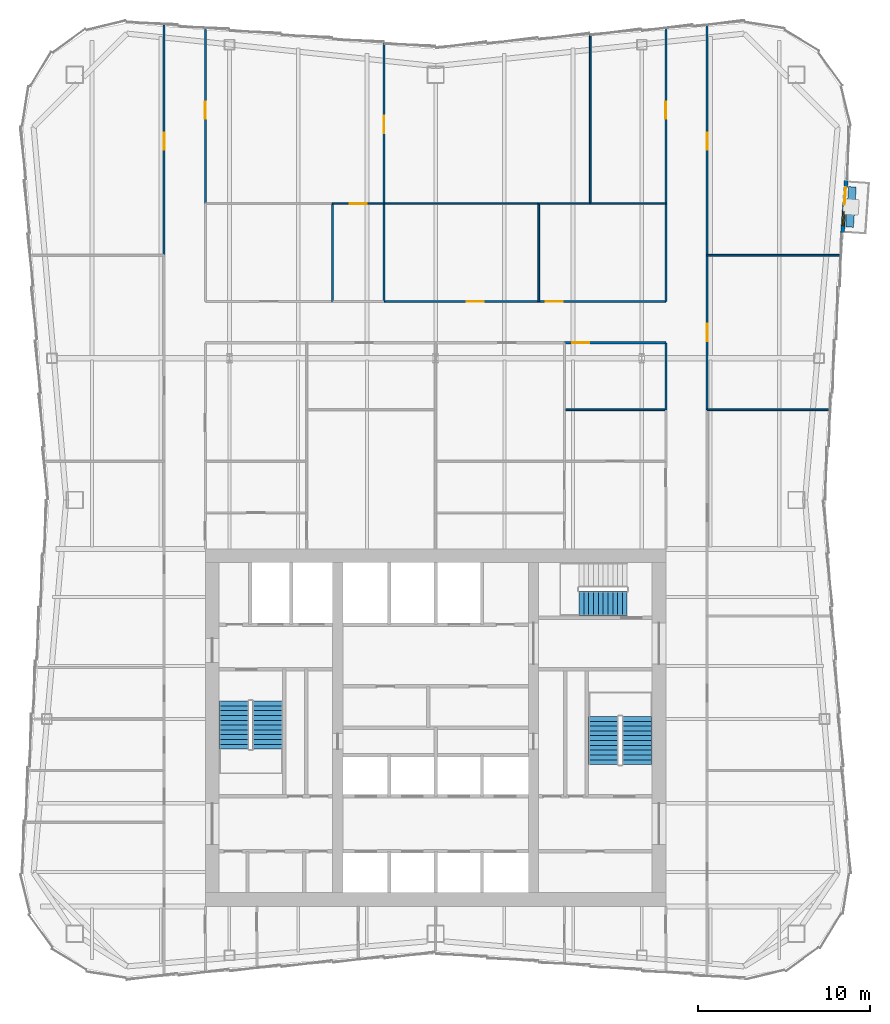
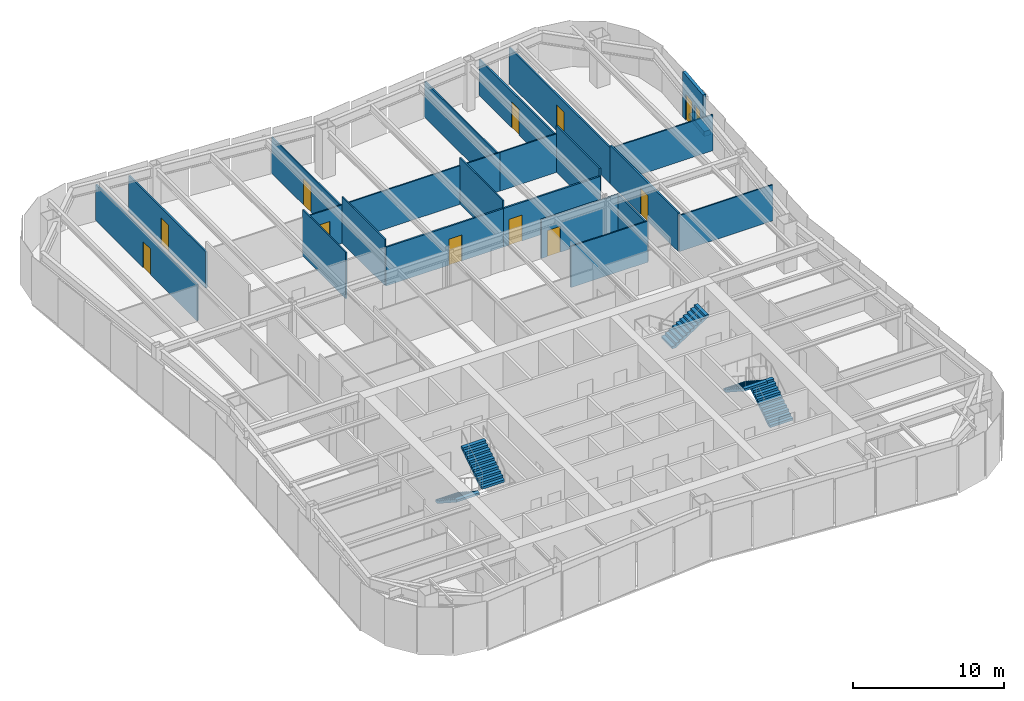
# One storey, part 9 of 12: 24 walls, 11 doors, 5 stair flights, 1 window, 12 openings, 3 elements without a shape of their own.
"""IFC4 building model written with IfcOpenShell, lengths in metres."""

import ifcopenshell
import ifcopenshell.guid

model = None  # the IFC model being written
_history = None  # IfcOwnerHistory: only IFC2X3 demands one
_inside = {}  # id of a spatial element -> (the spatial element, [elements in it])
_under = {}  # id of a project, library or spatial element -> (it, [spatial elements below it])
_declared = {}  # id of a project -> (the project, [libraries it declares])
_typed = {}  # id of a type object -> (the type object, [elements of that type])
_made_of = {}  # id of a material, layer set ... -> (it, [elements and type objects made of it])


def new_model(schema):
    """Start an empty IFC model of exactly this schema.

    Asked for "IFC4X3", IfcOpenShell would pick the latest addendum, in which some entities
    have other attributes; the version numbers below select the first issue.
    IFC2X3 requires an IfcOwnerHistory on every rooted entity: one is made here for all.
    """
    global model, _history
    if schema == "IFC4X3":
        model = ifcopenshell.file(schema_version=(4, 3, 0, 0))
    else:
        model = ifcopenshell.file(schema=schema)
    _inside.clear()
    _under.clear()
    _declared.clear()
    _typed.clear()
    _made_of.clear()
    _history = None
    if model.schema == "IFC2X3":
        org = make("IfcOrganization", Name="unknown")
        user = make(
            "IfcPersonAndOrganization",
            ThePerson=make("IfcPerson", FamilyName="unknown"),
            TheOrganization=org,
        )
        app = make(
            "IfcApplication",
            ApplicationDeveloper=org,
            Version="unknown",
            ApplicationFullName="unknown",
            ApplicationIdentifier="unknown",
        )
        _history = make(
            "IfcOwnerHistory",
            OwningUser=user,
            OwningApplication=app,
            ChangeAction="ADDED",
            CreationDate=0,
        )
    return model


def make(cls, **values):
    """One entity of the class cls with the attributes given. An attribute that is None is left unset."""
    return model.create_entity(
        cls, **{name: value for name, value in values.items() if value is not None}
    )


def rooted(cls, **values):
    """An entity with a GlobalId (a new one), such as an element, a storey or a relation."""
    return make(cls, GlobalId=ifcopenshell.guid.new(), OwnerHistory=_history, **values)


def si_unit(unit_type, name, prefix=None):
    """IfcSIUnit, for example si_unit("LENGTHUNIT", "METRE", prefix="MILLI")."""
    return make("IfcSIUnit", UnitType=unit_type, Prefix=prefix, Name=name)


def assignment(units):
    """IfcUnitAssignment: the units of a project."""
    return None if units is None else make("IfcUnitAssignment", Units=units)


def point(xyz):
    """IfcCartesianPoint."""
    return None if xyz is None else make("IfcCartesianPoint", Coordinates=xyz)


def direction(xyz):
    """IfcDirection."""
    return None if xyz is None else make("IfcDirection", DirectionRatios=xyz)


def frame(location, z_axis=None, x_axis=None):
    """IfcAxis2Placement3D, a coordinate frame: its origin and axes. An axis left out is left unset."""
    return make(
        "IfcAxis2Placement3D",
        Location=point(location),
        Axis=direction(z_axis),
        RefDirection=direction(x_axis),
    )


def frame_2d(location, x_axis=None):
    """IfcAxis2Placement2D, a coordinate frame in the plane: its origin and x axis."""
    return make(
        "IfcAxis2Placement2D", Location=point(location), RefDirection=direction(x_axis)
    )


def origin():
    """The frame at (0, 0, 0) with its axes left unset."""
    return frame((0.0, 0.0, 0.0))


def place(relative_to, where):
    """IfcLocalPlacement: puts the frame where relative to a parent placement (None: the world)."""
    return make(
        "IfcLocalPlacement", PlacementRelTo=relative_to, RelativePlacement=where
    )


def context(
    kind, dimensions, precision=None, world=None, true_north=None, identifier=None
):
    """IfcGeometricRepresentationContext, for example the 3D "Model" context."""
    return make(
        "IfcGeometricRepresentationContext",
        ContextIdentifier=identifier,
        ContextType=kind,
        CoordinateSpaceDimension=dimensions,
        Precision=precision,
        WorldCoordinateSystem=world,
        TrueNorth=true_north,
    )


def subcontext(parent, identifier, kind, view, scale=None):
    """IfcGeometricRepresentationSubContext, for example "Body" below "Model"."""
    return make(
        "IfcGeometricRepresentationSubContext",
        ContextIdentifier=identifier,
        ContextType=kind,
        ParentContext=parent,
        TargetScale=scale,
        TargetView=view,
    )


def project(units=None, contexts=None):
    """IfcProject with its units and contexts."""
    return rooted(
        "IfcProject",
        Name="project",
        RepresentationContexts=contexts,
        UnitsInContext=assignment(units),
    )


def spatial(cls, under=None, at=None, **own):
    """A site, building, storey or space (cls), placed at a placement, below another one or the project."""
    s = rooted(cls, ObjectPlacement=at, **own)
    if under is not None:
        _under.setdefault(under.id(), (under, []))[1].append(s)
    return s


def polyline(points):
    """IfcPolyline through the points."""
    return make("IfcPolyline", Points=[point(p) for p in points])


def profile(cls, at=None, kind="AREA", **sizes):
    """A parametric profile (cls). Its sizes go by their IFC names, for example OverallWidth=200.0."""
    return make(cls, ProfileType=kind, Position=at, **sizes)


def rectangle(**sizes):
    """IfcRectangleProfileDef."""
    return profile("IfcRectangleProfileDef", **sizes)


def outline(outer, holes=None, kind="AREA"):
    """IfcArbitraryClosedProfileDef: a profile drawn as a closed curve; with holes, ...WithVoids."""
    if holes is None:
        return make("IfcArbitraryClosedProfileDef", ProfileType=kind, OuterCurve=outer)
    return make(
        "IfcArbitraryProfileDefWithVoids",
        ProfileType=kind,
        OuterCurve=outer,
        InnerCurves=holes,
    )


def extrude(swept, where, along, depth):
    """IfcExtrudedAreaSolid: the profile swept, set in the frame where, extruded along a direction by depth."""
    return make(
        "IfcExtrudedAreaSolid",
        SweptArea=swept,
        Position=where,
        ExtrudedDirection=direction(along),
        Depth=depth,
    )


def shape(context_of_items, identifier, shape_type, items):
    """IfcShapeRepresentation: the items that make up one representation, for example the "Body"."""
    return make(
        "IfcShapeRepresentation",
        ContextOfItems=context_of_items,
        RepresentationIdentifier=identifier,
        RepresentationType=shape_type,
        Items=items,
    )


def material(Name=None, Category=None):
    """IfcMaterial."""
    return make("IfcMaterial", Name=Name, Category=Category)


def layer(
    of_material, thickness, ventilated=None, Name=None, Category=None, Priority=None
):
    """IfcMaterialLayer: one layer of a wall or slab, of a material (None: an air gap)."""
    return make(
        "IfcMaterialLayer",
        Material=of_material,
        LayerThickness=thickness,
        IsVentilated=ventilated,
        Name=Name,
        Category=Category,
        Priority=Priority,
    )


def layer_set(layers, Name=None):
    """IfcMaterialLayerSet."""
    return make("IfcMaterialLayerSet", MaterialLayers=layers, LayerSetName=Name)


def made_of(thing, what):
    """Note that an element or type object is made of a material, layer set ...; save() writes the relation."""
    if what is not None:
        _made_of.setdefault(what.id(), (what, []))[1].append(thing)
    return thing


def type_object(cls, material=None, **own):
    """A type object (cls), such as IfcWallType, which elements share."""
    return made_of(rooted(cls, **own), material)


def element(
    cls,
    number,
    at=None,
    inside=None,
    cuts=None,
    type_object=None,
    material=None,
    context=None,
    identifier="Body",
    shape_type=None,
    held_by="IfcProductDefinitionShape",
    body=None,
    shapes=None,
    **own,
):
    """One element of the class cls, such as IfcWall. Its Tag is "e" and its number.

    at: its placement. inside: the storey or other place that contains it. cuts: it is an
    opening in that element (IfcRelVoidsElement). A single representation is given by context,
    identifier, shape_type and body (its items); several are given by shapes. held_by: the class
    of the entity that holds the representations. save() writes the other relations.
    """
    e = rooted(cls, Tag="e%d" % number, ObjectPlacement=at, **own)
    if body is not None:
        shapes = [shape(context, identifier, shape_type, body)]
    if shapes is not None:
        e.Representation = make(held_by, Representations=shapes)
    if inside is not None:
        _inside.setdefault(inside.id(), (inside, []))[1].append(e)
    if cuts is not None:
        rooted(
            "IfcRelVoidsElement", RelatingBuildingElement=cuts, RelatedOpeningElement=e
        )
    if type_object is not None:
        _typed.setdefault(type_object.id(), (type_object, []))[1].append(e)
    return made_of(e, material)


def fill(opening, filler):
    """IfcRelFillsElement: the door or window that sits in an opening."""
    return rooted(
        "IfcRelFillsElement",
        RelatingOpeningElement=opening,
        RelatedBuildingElement=filler,
    )


def aggregate(whole, parts):
    """IfcRelAggregates: a whole, such as a stair, and the parts it consists of."""
    return rooted("IfcRelAggregates", RelatingObject=whole, RelatedObjects=parts)


def save(model, path):
    """Write the relations noted so far, then the file.

    IfcRelAggregates (storeys below a building ...), IfcRelContainedInSpatialStructure (elements
    in a storey), IfcRelDefinesByType, IfcRelAssociatesMaterial and IfcRelDeclares: one each for
    every whole, place, type object, material and project.
    """
    for whole, parts in _under.values():
        aggregate(whole, parts)
    for where, things in _inside.values():
        rooted(
            "IfcRelContainedInSpatialStructure",
            RelatedElements=things,
            RelatingStructure=where,
        )
    for kind, things in _typed.values():
        rooted("IfcRelDefinesByType", RelatedObjects=things, RelatingType=kind)
    for what, things in _made_of.values():
        rooted("IfcRelAssociatesMaterial", RelatedObjects=things, RelatingMaterial=what)
    for by, libraries in _declared.values():
        rooted("IfcRelDeclares", RelatingContext=by, RelatedDefinitions=libraries)
    model.write(path)


model = new_model("IFC4")

# Units and contexts
model_context = context("Model", 3, precision=1e-05, world=origin(), true_north=direction((0.0, 1.0)))
body_context = subcontext(model_context, "Body", "Model", "MODEL_VIEW")
ifc_project = project(units=[si_unit("LENGTHUNIT", "METRE"), si_unit("AREAUNIT", "SQUARE_METRE"), si_unit("VOLUMEUNIT", "CUBIC_METRE"), si_unit("PLANEANGLEUNIT", "RADIAN"), si_unit("MASSUNIT", "GRAM", prefix="KILO")], contexts=[model_context])

# Site, building, storey
site_placement = place(None, origin())
site = spatial("IfcSite", under=ifc_project, at=site_placement, CompositionType="ELEMENT")
building_placement = place(site_placement, origin())
building = spatial("IfcBuilding", under=site, at=building_placement, Name="Verdant Reach Tower", CompositionType="ELEMENT")
storey_placement = place(building_placement, frame((0.0, 0.0, 278.0)))
storey = spatial("IfcBuildingStorey", under=building, at=storey_placement, Name="L64", CompositionType="ELEMENT", Elevation=278.0)

# Wall, openings, door, window
ifc_material_1 = material(Name="Insulated bronze aluminium panel wall", Category="aluminium")
ifc_layer_1 = layer(ifc_material_1, 0.219970703125)
ifc_layer_set_1 = layer_set([ifc_layer_1], Name="EN-INFILL WALL")
wall_type_1 = type_object("IfcWallType", Name="EN-INFILL WALL", PredefinedType="SOLIDWALL", material=ifc_layer_set_1)
wall_1_placement = place(storey_placement, frame((23.685546875, 56.81201171875, 0.0), z_axis=(0.0, 0.0, 1.0), x_axis=(0.06875808698, 0.99763336225, 0.0)))
wall_1 = element("IfcWall", 1, at=wall_1_placement, inside=storey, type_object=wall_type_1, Name="External infill wall, balcony bay 1, L64", PredefinedType="SOLIDWALL", context=body_context, shape_type="SweptSolid", body=[
    extrude(rectangle(XDim=3.046630859375, YDim=0.22412109375, at=frame_2d((1.5234375, 0.0))), origin(), (0.0, 0.0, 1.0), 3.64990234375),
])
opening_1_placement = place(wall_1_placement, frame((1.631103515625, 0.0, 0.0)))
opening_1 = element("IfcOpeningElement", 2, at=opening_1_placement, cuts=wall_1, Name="Opening BD1", PredefinedType="OPENING", context=body_context, shape_type="SweptSolid", body=[
    extrude(rectangle(XDim=1.0, YDim=2.10009765625, at=frame_2d((0.5, 1.050048828125))), frame((0.0, 0.1220703125, 0.0), z_axis=(0.0, -1.0, 0.0), x_axis=(1.0, 0.0, 0.0)), (0.0, 0.0, 1.0), 0.244140625),
])
opening_2_placement = place(wall_1_placement, frame((0.41552734375, 0.0, 0.89990234375)))
opening_2 = element("IfcOpeningElement", 3, at=opening_2_placement, cuts=wall_1, Name="Opening BW1", PredefinedType="OPENING", context=body_context, shape_type="SweptSolid", body=[
    extrude(rectangle(XDim=0.800048828125, YDim=1.199951171875, at=frame_2d((0.39990234375, 0.60009765625))), frame((0.0, 0.1220703125, 0.0), z_axis=(0.0, -1.0, 0.0), x_axis=(1.0, 0.0, 0.0)), (0.0, 0.0, 1.0), 0.244140625),
])
ifc_material_2 = material(Name="Aluminium framed glazed door", Category="aluminium")
door_type_1 = type_object("IfcDoorType", Name="EN-DOOR BALCONY", OperationType="NOTDEFINED", PredefinedType="DOOR", material=ifc_material_2)
door_1_placement = place(opening_1_placement, origin())
door_1 = element("IfcDoor", 4, at=door_1_placement, inside=storey, type_object=door_type_1, Name="Balcony door 1, L64", OperationType="SINGLE_SWING_RIGHT", OverallHeight=2.10009765625, OverallWidth=1.0, PredefinedType="DOOR", context=body_context, shape_type="SweptSolid", body=[
    extrude(rectangle(XDim=1.0, YDim=2.10009765625, at=frame_2d((0.5, 1.050048828125))), frame((0.0, 0.02490234375, 0.0), z_axis=(0.0, -1.0, 0.0), x_axis=(1.0, 0.0, 0.0)), (0.0, 0.0, 1.0), 0.050048828125),
])
fill(opening_1, door_1)
ifc_material_3 = material(Name="Aluminium framed glazing", Category="aluminium")
window_type = type_object("IfcWindowType", Name="EN-WINDOW BALCONY", PartitioningType="SINGLE_PANEL", PredefinedType="WINDOW", material=ifc_material_3)
window_placement = place(opening_2_placement, origin())
window = element("IfcWindow", 5, at=window_placement, inside=storey, type_object=window_type, Name="Balcony window 1, L64", OverallHeight=1.199951171875, OverallWidth=0.800048828125, PartitioningType="SINGLE_PANEL", PredefinedType="WINDOW", context=body_context, shape_type="SweptSolid", body=[
    extrude(rectangle(XDim=0.800048828125, YDim=1.199951171875, at=frame_2d((0.39990234375, 0.60009765625))), frame((0.0, 0.030029296875, 0.0), z_axis=(0.0, -1.0, 0.0), x_axis=(1.0, 0.0, 0.0)), (0.0, 0.0, 1.0), 0.06005859375),
])
fill(opening_2, window)

# Walls
ifc_material_4 = material(Name="Precast concrete C30/37", Category="concrete")
ifc_layer_2 = layer(ifc_material_4, 0.449951171875)
ifc_layer_set_2 = layer_set([ifc_layer_2], Name="EN-PLANTER")
wall_type_2 = type_object("IfcWallType", Name="EN-PLANTER", PredefinedType="USERDEFINED", material=ifc_layer_set_2)
wall_2_placement = place(storey_placement, frame((24.095703125, 57.134521484375, 0.0), z_axis=(0.0, 0.0, 1.0), x_axis=(0.06877709495, 0.997632052016, 0.0)))
element("IfcWall", 6, at=wall_2_placement, inside=storey, type_object=wall_type_2, Name="Balcony planter 1, L64", ObjectType="PLANTER", PredefinedType="USERDEFINED", context=body_context, shape_type="SweptSolid", body=[
    extrude(rectangle(XDim=2.346435546875, YDim=0.449951171875, at=frame_2d((1.17333984375, 0.0))), origin(), (0.0, 0.0, 1.0), 0.39990234375),
])
ifc_material_5 = material(Name="Gypsum board on steel studs", Category="steel")
ifc_layer_3 = layer(ifc_material_5, 0.10009765625)
ifc_layer_set_3 = layer_set([ifc_layer_3], Name="FL-W1 Partition 100")
wall_type_3 = type_object("IfcWallType", Name="FL-W1 Partition 100", PredefinedType="PARTITIONING", material=ifc_layer_set_3)
wall_3_placement = place(storey_placement, frame((22.942138671875, 46.5, 0.0), z_axis=(0.0, 0.0, 1.0), x_axis=(-1.0, 0.0, 0.0)))
element("IfcWall", 7, at=wall_3_placement, inside=storey, type_object=wall_type_3, Name="Partition 64.41", PredefinedType="PARTITIONING", context=body_context, shape_type="SweptSolid", body=[
    extrude(rectangle(XDim=7.14208984375, YDim=0.10009765625, at=frame_2d((3.571044921875, 0.0))), origin(), (0.0, 0.0, 1.0), 2.919921875),
])
wall_4_placement = place(storey_placement, frame((23.562744140625, 55.5, 0.0), z_axis=(0.0, 0.0, 1.0), x_axis=(-1.0, 0.0, 0.0)))
element("IfcWall", 8, at=wall_4_placement, inside=storey, type_object=wall_type_3, Name="Partition 64.42", PredefinedType="PARTITIONING", context=body_context, shape_type="SweptSolid", body=[
    extrude(rectangle(XDim=7.7626953125, YDim=0.10009765625, at=frame_2d((3.88134765625, 0.0))), origin(), (0.0, 0.0, 1.0), 2.919921875),
])
wall_5_placement = place(storey_placement, frame((13.39990234375, 46.5, 0.0), z_axis=(0.0, 0.0, 1.0), x_axis=(-1.0, 0.0, 0.0)))
element("IfcWall", 9, at=wall_5_placement, inside=storey, type_object=wall_type_3, Name="Partition 64.61", PredefinedType="PARTITIONING", context=body_context, shape_type="SweptSolid", body=[
    extrude(rectangle(XDim=5.89990234375, YDim=0.10009765625, at=frame_2d((2.949951171875, 0.0))), origin(), (0.0, 0.0, 1.0), 3.320068359375),
])
for number, where, z_axis, x_axis, name in (
    (10, (-6.0, 52.800048828125, 0.0), (0.0, 0.0, 1.0), (0.0, 1.0, 0.0), "Partition 64.66"),
    (11, (-3.0, 52.800048828125, 0.0), (0.0, 0.0, 1.0), (0.0, 1.0, 0.0), "Partition 64.68"),
):
    element("IfcWall", number, at=place(storey_placement, frame(where, z_axis=z_axis, x_axis=x_axis)), inside=storey, type_object=wall_type_3, Name=name, PredefinedType="PARTITIONING", context=body_context, shape_type="SweptSolid", body=[
        extrude(rectangle(XDim=5.699951171875, YDim=0.10009765625, at=frame_2d((2.85009765625, 0.0))), origin(), (0.0, 0.0, 1.0), 3.75),
    ])

# Wall, opening, door
wall_6_placement = place(storey_placement, frame((-3.0, 58.5, 0.0), z_axis=(0.0, 0.0, 1.0), x_axis=(-1.0, 0.0, 0.0)))
wall_6 = element("IfcWall", 12, at=wall_6_placement, inside=storey, type_object=wall_type_3, Name="Partition 64.69", PredefinedType="PARTITIONING", context=body_context, shape_type="SweptSolid", body=[
    extrude(rectangle(XDim=3.00390625, YDim=0.10009765625, at=frame_2d((1.501953125, 0.0))), origin(), (0.0, 0.0, 1.0), 3.1201171875),
])
opening_3_placement = place(wall_6_placement, frame((1.001953125, 0.0, 0.0)))
opening_3 = element("IfcOpeningElement", 13, at=opening_3_placement, cuts=wall_6, Name="Opening D3", PredefinedType="OPENING", context=body_context, shape_type="SweptSolid", body=[
    extrude(rectangle(XDim=1.0, YDim=2.10009765625, at=frame_2d((0.5, 1.050048828125))), frame((0.0, 0.06005859375, 0.0), z_axis=(0.0, -1.0, 0.0), x_axis=(1.0, 0.0, 0.0)), (0.0, 0.0, 1.0), 0.1201171875),
])
ifc_material_6 = material(Name="Painted timber door leaf", Category="wood")
door_type_2 = type_object("IfcDoorType", Name="FL-D3 Door 1000x2100", OperationType="NOTDEFINED", PredefinedType="DOOR", material=ifc_material_6)
door_2_placement = place(opening_3_placement, origin())
door_2 = element("IfcDoor", 14, at=door_2_placement, inside=storey, type_object=door_type_2, Name="Door 64-034", OperationType="SINGLE_SWING_RIGHT", OverallHeight=2.10009765625, OverallWidth=1.0, PredefinedType="DOOR", context=body_context, shape_type="SweptSolid", body=[
    extrude(rectangle(XDim=1.0, YDim=2.10009765625, at=frame_2d((0.5, 1.050048828125))), frame((0.0, 0.02490234375, 0.0), z_axis=(0.0, -1.0, 0.0), x_axis=(1.0, 0.0, 0.0)), (0.0, 0.0, 1.0), 0.050048828125),
])
fill(opening_3, door_2)

# Walls
wall_7_placement = place(storey_placement, frame((6.0, 52.800048828125, 0.0), z_axis=(0.0, 0.0, 1.0), x_axis=(0.0, 1.0, 0.0)))
element("IfcWall", 15, at=wall_7_placement, inside=storey, type_object=wall_type_3, Name="Partition 64.70", PredefinedType="PARTITIONING", context=body_context, shape_type="SweptSolid", body=[
    extrude(rectangle(XDim=5.699951171875, YDim=0.10009765625, at=frame_2d((2.85009765625, 0.0))), origin(), (0.0, 0.0, 1.0), 3.75),
])
wall_8_placement = place(storey_placement, frame((6.00390625, 58.5, 0.0), z_axis=(0.0, 0.0, 1.0), x_axis=(-1.0, 0.0, 0.0)))
element("IfcWall", 16, at=wall_8_placement, inside=storey, type_object=wall_type_3, Name="Partition 64.71", PredefinedType="PARTITIONING", context=body_context, shape_type="SweptSolid", body=[
    extrude(rectangle(XDim=9.00390625, YDim=0.10009765625, at=frame_2d((4.501953125, 0.0))), origin(), (0.0, 0.0, 1.0), 3.1201171875),
])
wall_9_placement = place(storey_placement, frame((9.0, 58.5, 0.0), z_axis=(0.0, 0.0, 1.0), x_axis=(-1.0, 0.0, 0.0)))
element("IfcWall", 17, at=wall_9_placement, inside=storey, type_object=wall_type_3, Name="Partition 64.72", PredefinedType="PARTITIONING", context=body_context, shape_type="SweptSolid", body=[
    extrude(rectangle(XDim=3.00390625, YDim=0.10009765625, at=frame_2d((1.501953125, 0.0))), origin(), (0.0, 0.0, 1.0), 3.1201171875),
])
wall_10_placement = place(storey_placement, frame((13.39990234375, 58.5, 0.0), z_axis=(0.0, 0.0, 1.0), x_axis=(-1.0, 0.0, 0.0)))
element("IfcWall", 18, at=wall_10_placement, inside=storey, type_object=wall_type_3, Name="Partition 64.73", PredefinedType="PARTITIONING", context=body_context, shape_type="SweptSolid", body=[
    extrude(rectangle(XDim=4.39990234375, YDim=0.10009765625, at=frame_2d((2.199951171875, 0.0))), origin(), (0.0, 0.0, 1.0), 3.1201171875),
])

# Wall, opening, door
wall_11_placement = place(storey_placement, frame((-3.0, 67.830078125, 0.0), z_axis=(0.0, 0.0, 1.0), x_axis=(0.0, -1.0, 0.0)))
wall_11 = element("IfcWall", 19, at=wall_11_placement, inside=storey, type_object=wall_type_3, Name="Partition 64.74", PredefinedType="PARTITIONING", context=body_context, shape_type="SweptSolid", body=[
    extrude(rectangle(XDim=9.330078125, YDim=0.10009765625, at=frame_2d((4.6650390625, 0.0))), origin(), (0.0, 0.0, 1.0), 2.919921875),
])
opening_4_placement = place(wall_11_placement, frame((4.22998046875, 0.0, 0.0)))
opening_4 = element("IfcOpeningElement", 20, at=opening_4_placement, cuts=wall_11, Name="Opening D3", PredefinedType="OPENING", context=body_context, shape_type="SweptSolid", body=[
    extrude(rectangle(XDim=1.0, YDim=2.10009765625, at=frame_2d((0.5, 1.050048828125))), frame((0.0, 0.06005859375, 0.0), z_axis=(0.0, -1.0, 0.0), x_axis=(1.0, 0.0, 0.0)), (0.0, 0.0, 1.0), 0.1201171875),
])
door_3_placement = place(opening_4_placement, origin())
door_3 = element("IfcDoor", 21, at=door_3_placement, inside=storey, type_object=door_type_2, Name="Door 64-035", OperationType="SINGLE_SWING_RIGHT", OverallHeight=2.10009765625, OverallWidth=1.0, PredefinedType="DOOR", context=body_context, shape_type="SweptSolid", body=[
    extrude(rectangle(XDim=1.0, YDim=2.10009765625, at=frame_2d((0.5, 1.050048828125))), frame((0.0, 0.02490234375, 0.0), z_axis=(0.0, -1.0, 0.0), x_axis=(1.0, 0.0, 0.0)), (0.0, 0.0, 1.0), 0.050048828125),
])
fill(opening_4, door_3)

# Wall
wall_12_placement = place(storey_placement, frame((9.0, 58.5, 0.0), z_axis=(0.0, 0.0, 1.0), x_axis=(0.0, 1.0, 0.0)))
element("IfcWall", 22, at=wall_12_placement, inside=storey, type_object=wall_type_3, Name="Partition 64.75", PredefinedType="PARTITIONING", context=body_context, shape_type="SweptSolid", body=[
    extrude(rectangle(XDim=9.830078125, YDim=0.10009765625, at=frame_2d((4.9150390625, 0.0))), origin(), (0.0, 0.0, 1.0), 2.919921875),
])

# Wall, opening, door
ifc_material_7 = material(Name="Gypsum board on steel studs, fire rated", Category="steel")
ifc_layer_4 = layer(ifc_material_7, 0.125)
ifc_layer_set_4 = layer_set([ifc_layer_4], Name="FL-W2 Corridor wall 125")
wall_type_4 = type_object("IfcWallType", Name="FL-W2 Corridor wall 125", PredefinedType="PARTITIONING", material=ifc_layer_set_4)
wall_13_placement = place(storey_placement, frame((-15.800048828125, 55.5, 0.0), z_axis=(0.0, 0.0, 1.0), x_axis=(0.0, 1.0, 0.0)))
wall_13 = element("IfcWall", 23, at=wall_13_placement, inside=storey, type_object=wall_type_4, Name="Partition 64.07", PredefinedType="PARTITIONING", context=body_context, shape_type="SweptSolid", body=[
    extrude(rectangle(XDim=13.396728515625, YDim=0.125, at=frame_2d((6.6982421875, 0.0))), origin(), (0.0, 0.0, 1.0), 2.919921875),
])
opening_5_placement = place(wall_13_placement, frame((6.13330078125, 0.0, 0.0)))
opening_5 = element("IfcOpeningElement", 24, at=opening_5_placement, cuts=wall_13, Name="Opening D2", PredefinedType="OPENING", context=body_context, shape_type="SweptSolid", body=[
    extrude(rectangle(XDim=1.0, YDim=2.10009765625, at=frame_2d((0.5, 1.050048828125))), frame((0.0, 0.072509765625, 0.0), z_axis=(0.0, -1.0, 0.0), x_axis=(1.0, 0.0, 0.0)), (0.0, 0.0, 1.0), 0.14501953125),
])
ifc_material_8 = material(Name="Timber door leaf, fire rated", Category="wood")
door_type_3 = type_object("IfcDoorType", Name="FL-D2 Entrance door 1000x2100 FD30", OperationType="NOTDEFINED", PredefinedType="DOOR", material=ifc_material_8)
door_4_placement = place(opening_5_placement, origin())
door_4 = element("IfcDoor", 25, at=door_4_placement, inside=storey, type_object=door_type_3, Name="Door 64-007", OperationType="SINGLE_SWING_LEFT", OverallHeight=2.10009765625, OverallWidth=1.0, PredefinedType="DOOR", context=body_context, shape_type="SweptSolid", body=[
    extrude(rectangle(XDim=1.0, YDim=2.10009765625, at=frame_2d((0.5, 1.050048828125))), frame((0.0, 0.02490234375, 0.0), z_axis=(0.0, -1.0, 0.0), x_axis=(1.0, 0.0, 0.0)), (0.0, 0.0, 1.0), 0.050048828125),
])
fill(opening_5, door_4)

wall_14_placement = place(storey_placement, frame((15.800048828125, 55.5, 0.0), z_axis=(0.0, 0.0, 1.0), x_axis=(0.0, -1.0, 0.0)))
wall_14 = element("IfcWall", 26, at=wall_14_placement, inside=storey, type_object=wall_type_4, Name="Partition 64.11", PredefinedType="PARTITIONING", context=body_context, shape_type="SweptSolid", body=[
    extrude(rectangle(XDim=9.0, YDim=0.125, at=frame_2d((4.5, 0.0))), origin(), (0.0, 0.0, 1.0), 3.1201171875),
])
opening_6_placement = place(wall_14_placement, frame((4.0, 0.0, 0.0)))
opening_6 = element("IfcOpeningElement", 27, at=opening_6_placement, cuts=wall_14, Name="Opening D2", PredefinedType="OPENING", context=body_context, shape_type="SweptSolid", body=[
    extrude(rectangle(XDim=1.0, YDim=2.10009765625, at=frame_2d((0.5, 1.050048828125))), frame((0.0, 0.072509765625, 0.0), z_axis=(0.0, -1.0, 0.0), x_axis=(1.0, 0.0, 0.0)), (0.0, 0.0, 1.0), 0.14501953125),
])
door_5_placement = place(opening_6_placement, origin())
door_5 = element("IfcDoor", 28, at=door_5_placement, inside=storey, type_object=door_type_3, Name="Door 64-011", OperationType="SINGLE_SWING_LEFT", OverallHeight=2.10009765625, OverallWidth=1.0, PredefinedType="DOOR", context=body_context, shape_type="SweptSolid", body=[
    extrude(rectangle(XDim=1.0, YDim=2.10009765625, at=frame_2d((0.5, 1.050048828125))), frame((0.0, 0.02490234375, 0.0), z_axis=(0.0, -1.0, 0.0), x_axis=(1.0, 0.0, 0.0)), (0.0, 0.0, 1.0), 0.050048828125),
])
fill(opening_6, door_5)

wall_15_placement = place(storey_placement, frame((15.800048828125, 68.896728515625, 0.0), z_axis=(0.0, 0.0, 1.0), x_axis=(0.0, -1.0, 0.0)))
wall_15 = element("IfcWall", 29, at=wall_15_placement, inside=storey, type_object=wall_type_4, Name="Partition 64.12", PredefinedType="PARTITIONING", context=body_context, shape_type="SweptSolid", body=[
    extrude(rectangle(XDim=13.396728515625, YDim=0.125, at=frame_2d((6.6982421875, 0.0))), origin(), (0.0, 0.0, 1.0), 2.919921875),
])
opening_7_placement = place(wall_15_placement, frame((6.263427734375, 0.0, 0.0)))
opening_7 = element("IfcOpeningElement", 30, at=opening_7_placement, cuts=wall_15, Name="Opening D2", PredefinedType="OPENING", context=body_context, shape_type="SweptSolid", body=[
    extrude(rectangle(XDim=1.0, YDim=2.10009765625, at=frame_2d((0.5, 1.050048828125))), frame((0.0, 0.072509765625, 0.0), z_axis=(0.0, -1.0, 0.0), x_axis=(1.0, 0.0, 0.0)), (0.0, 0.0, 1.0), 0.14501953125),
])
door_6_placement = place(opening_7_placement, origin())
door_6 = element("IfcDoor", 31, at=door_6_placement, inside=storey, type_object=door_type_3, Name="Door 64-012", OperationType="SINGLE_SWING_RIGHT", OverallHeight=2.10009765625, OverallWidth=1.0, PredefinedType="DOOR", context=body_context, shape_type="SweptSolid", body=[
    extrude(rectangle(XDim=1.0, YDim=2.10009765625, at=frame_2d((0.5, 1.050048828125))), frame((0.0, 0.02490234375, 0.0), z_axis=(0.0, -1.0, 0.0), x_axis=(1.0, 0.0, 0.0)), (0.0, 0.0, 1.0), 0.050048828125),
])
fill(opening_7, door_6)

wall_16_placement = place(storey_placement, frame((13.39990234375, 50.39990234375, 0.0), z_axis=(0.0, 0.0, 1.0), x_axis=(-1.0, 0.0, 0.0)))
wall_16 = element("IfcWall", 32, at=wall_16_placement, inside=storey, type_object=wall_type_4, Name="Partition 64.22", PredefinedType="PARTITIONING", context=body_context, shape_type="SweptSolid", body=[
    extrude(rectangle(XDim=5.89990234375, YDim=0.125, at=frame_2d((2.949951171875, 0.0))), origin(), (0.0, 0.0, 1.0), 3.1201171875),
])
opening_8_placement = place(wall_16_placement, frame((4.449951171875, 0.0, 0.0)))
opening_8 = element("IfcOpeningElement", 33, at=opening_8_placement, cuts=wall_16, Name="Opening D2", PredefinedType="OPENING", context=body_context, shape_type="SweptSolid", body=[
    extrude(rectangle(XDim=1.0, YDim=2.10009765625, at=frame_2d((0.5, 1.050048828125))), frame((0.0, 0.072509765625, 0.0), z_axis=(0.0, -1.0, 0.0), x_axis=(1.0, 0.0, 0.0)), (0.0, 0.0, 1.0), 0.14501953125),
])
door_7_placement = place(opening_8_placement, origin())
door_7 = element("IfcDoor", 34, at=door_7_placement, inside=storey, type_object=door_type_3, Name="Door 64-019", OperationType="SINGLE_SWING_RIGHT", OverallHeight=2.10009765625, OverallWidth=1.0, PredefinedType="DOOR", context=body_context, shape_type="SweptSolid", body=[
    extrude(rectangle(XDim=1.0, YDim=2.10009765625, at=frame_2d((0.5, 1.050048828125))), frame((0.0, 0.02490234375, 0.0), z_axis=(0.0, -1.0, 0.0), x_axis=(1.0, 0.0, 0.0)), (0.0, 0.0, 1.0), 0.050048828125),
])
fill(opening_8, door_7)

# Wall
wall_17_placement = place(storey_placement, frame((13.39990234375, 46.5, 0.0), z_axis=(0.0, 0.0, 1.0), x_axis=(0.0, 1.0, 0.0)))
element("IfcWall", 35, at=wall_17_placement, inside=storey, type_object=wall_type_4, Name="Partition 64.23", PredefinedType="PARTITIONING", context=body_context, shape_type="SweptSolid", body=[
    extrude(rectangle(XDim=3.89990234375, YDim=0.125, at=frame_2d((1.949951171875, 0.0))), origin(), (0.0, 0.0, 1.0), 3.1201171875),
])

# Wall, opening, door
wall_18_placement = place(storey_placement, frame((-3.0, 52.800048828125, 0.0), z_axis=(0.0, 0.0, 1.0), x_axis=(1.0, 0.0, 0.0)))
wall_18 = element("IfcWall", 36, at=wall_18_placement, inside=storey, type_object=wall_type_4, Name="Partition 64.28", PredefinedType="PARTITIONING", context=body_context, shape_type="SweptSolid", body=[
    extrude(rectangle(XDim=9.0, YDim=0.125, at=frame_2d((4.5, 0.0))), origin(), (0.0, 0.0, 1.0), 3.1201171875),
])
opening_9_placement = place(wall_18_placement, frame((4.800048828125, 0.0, 0.0)))
opening_9 = element("IfcOpeningElement", 37, at=opening_9_placement, cuts=wall_18, Name="Opening D2", PredefinedType="OPENING", context=body_context, shape_type="SweptSolid", body=[
    extrude(rectangle(XDim=1.0, YDim=2.10009765625, at=frame_2d((0.5, 1.050048828125))), frame((0.0, 0.072509765625, 0.0), z_axis=(0.0, -1.0, 0.0), x_axis=(1.0, 0.0, 0.0)), (0.0, 0.0, 1.0), 0.14501953125),
])
door_8_placement = place(opening_9_placement, origin())
door_8 = element("IfcDoor", 38, at=door_8_placement, inside=storey, type_object=door_type_3, Name="Door 64-022", OperationType="SINGLE_SWING_RIGHT", OverallHeight=2.10009765625, OverallWidth=1.0, PredefinedType="DOOR", context=body_context, shape_type="SweptSolid", body=[
    extrude(rectangle(XDim=1.0, YDim=2.10009765625, at=frame_2d((0.5, 1.050048828125))), frame((0.0, 0.02490234375, 0.0), z_axis=(0.0, -1.0, 0.0), x_axis=(1.0, 0.0, 0.0)), (0.0, 0.0, 1.0), 0.050048828125),
])
fill(opening_9, door_8)

# Wall
wall_19_placement = place(storey_placement, frame((13.39990234375, 52.800048828125, 0.0), z_axis=(0.0, 0.0, 1.0), x_axis=(0.0, 1.0, 0.0)))
element("IfcWall", 39, at=wall_19_placement, inside=storey, type_object=wall_type_4, Name="Partition 64.29", PredefinedType="PARTITIONING", context=body_context, shape_type="SweptSolid", body=[
    extrude(rectangle(XDim=5.699951171875, YDim=0.125, at=frame_2d((2.85009765625, 0.0))), origin(), (0.0, 0.0, 1.0), 3.75),
])

# Wall, opening, door
wall_20_placement = place(storey_placement, frame((6.0, 52.800048828125, 0.0), z_axis=(0.0, 0.0, 1.0), x_axis=(1.0, 0.0, 0.0)))
wall_20 = element("IfcWall", 40, at=wall_20_placement, inside=storey, type_object=wall_type_4, Name="Partition 64.30", PredefinedType="PARTITIONING", context=body_context, shape_type="SweptSolid", body=[
    extrude(rectangle(XDim=7.39990234375, YDim=0.125, at=frame_2d((3.699951171875, 0.0))), origin(), (0.0, 0.0, 1.0), 3.1201171875),
])
opening_10_placement = place(wall_20_placement, frame((0.39990234375, 0.0, 0.0)))
opening_10 = element("IfcOpeningElement", 41, at=opening_10_placement, cuts=wall_20, Name="Opening D2", PredefinedType="OPENING", context=body_context, shape_type="SweptSolid", body=[
    extrude(rectangle(XDim=1.0, YDim=2.10009765625, at=frame_2d((0.5, 1.050048828125))), frame((0.0, 0.072509765625, 0.0), z_axis=(0.0, -1.0, 0.0), x_axis=(1.0, 0.0, 0.0)), (0.0, 0.0, 1.0), 0.14501953125),
])
door_9_placement = place(opening_10_placement, origin())
door_9 = element("IfcDoor", 42, at=door_9_placement, inside=storey, type_object=door_type_3, Name="Door 64-023", OperationType="SINGLE_SWING_LEFT", OverallHeight=2.10009765625, OverallWidth=1.0, PredefinedType="DOOR", context=body_context, shape_type="SweptSolid", body=[
    extrude(rectangle(XDim=1.0, YDim=2.10009765625, at=frame_2d((0.5, 1.050048828125))), frame((0.0, 0.02490234375, 0.0), z_axis=(0.0, -1.0, 0.0), x_axis=(1.0, 0.0, 0.0)), (0.0, 0.0, 1.0), 0.050048828125),
])
fill(opening_10, door_9)

wall_21_placement = place(storey_placement, frame((-13.39990234375, 68.69677734375, 0.0), z_axis=(0.0, 0.0, 1.0), x_axis=(0.0, -1.0, 0.0)))
wall_21 = element("IfcWall", 43, at=wall_21_placement, inside=storey, type_object=wall_type_4, Name="Partition 64.31", PredefinedType="PARTITIONING", context=body_context, shape_type="SweptSolid", body=[
    extrude(rectangle(XDim=10.19677734375, YDim=0.125, at=frame_2d((5.098388671875, 0.0))), origin(), (0.0, 0.0, 1.0), 2.919921875),
])
opening_11_placement = place(wall_21_placement, frame((4.263427734375, 0.0, 0.0)))
opening_11 = element("IfcOpeningElement", 44, at=opening_11_placement, cuts=wall_21, Name="Opening D2", PredefinedType="OPENING", context=body_context, shape_type="SweptSolid", body=[
    extrude(rectangle(XDim=1.0, YDim=2.10009765625, at=frame_2d((0.5, 1.050048828125))), frame((0.0, 0.072509765625, 0.0), z_axis=(0.0, -1.0, 0.0), x_axis=(1.0, 0.0, 0.0)), (0.0, 0.0, 1.0), 0.14501953125),
])
door_10_placement = place(opening_11_placement, origin())
door_10 = element("IfcDoor", 45, at=door_10_placement, inside=storey, type_object=door_type_3, Name="Door 64-024", OperationType="SINGLE_SWING_LEFT", OverallHeight=2.10009765625, OverallWidth=1.0, PredefinedType="DOOR", context=body_context, shape_type="SweptSolid", body=[
    extrude(rectangle(XDim=1.0, YDim=2.10009765625, at=frame_2d((0.5, 1.050048828125))), frame((0.0, 0.02490234375, 0.0), z_axis=(0.0, -1.0, 0.0), x_axis=(1.0, 0.0, 0.0)), (0.0, 0.0, 1.0), 0.050048828125),
])
fill(opening_11, door_10)

wall_22_placement = place(storey_placement, frame((13.39990234375, 58.5, 0.0), z_axis=(0.0, 0.0, 1.0), x_axis=(0.0, 1.0, 0.0)))
wall_22 = element("IfcWall", 46, at=wall_22_placement, inside=storey, type_object=wall_type_4, Name="Partition 64.32", PredefinedType="PARTITIONING", context=body_context, shape_type="SweptSolid", body=[
    extrude(rectangle(XDim=10.19677734375, YDim=0.125, at=frame_2d((5.098388671875, 0.0))), origin(), (0.0, 0.0, 1.0), 2.919921875),
])
opening_12_placement = place(wall_22_placement, frame((4.93310546875, 0.0, 0.0)))
opening_12 = element("IfcOpeningElement", 47, at=opening_12_placement, cuts=wall_22, Name="Opening D2", PredefinedType="OPENING", context=body_context, shape_type="SweptSolid", body=[
    extrude(rectangle(XDim=1.0, YDim=2.10009765625, at=frame_2d((0.5, 1.050048828125))), frame((0.0, 0.072509765625, 0.0), z_axis=(0.0, -1.0, 0.0), x_axis=(1.0, 0.0, 0.0)), (0.0, 0.0, 1.0), 0.14501953125),
])
door_11_placement = place(opening_12_placement, origin())
door_11 = element("IfcDoor", 48, at=door_11_placement, inside=storey, type_object=door_type_3, Name="Door 64-025", OperationType="SINGLE_SWING_RIGHT", OverallHeight=2.10009765625, OverallWidth=1.0, PredefinedType="DOOR", context=body_context, shape_type="SweptSolid", body=[
    extrude(rectangle(XDim=1.0, YDim=2.10009765625, at=frame_2d((0.5, 1.050048828125))), frame((0.0, 0.02490234375, 0.0), z_axis=(0.0, -1.0, 0.0), x_axis=(1.0, 0.0, 0.0)), (0.0, 0.0, 1.0), 0.050048828125),
])
fill(opening_12, door_11)

# Stair, stair flights
ifc_material_9 = material(Name="Concrete C40/50", Category="concrete")
stair_type = type_object("IfcStairType", Name="CO-STAIR", PredefinedType="HALF_TURN_STAIR", material=ifc_material_9)
stair_1_placement = place(storey_placement, origin())
stair_1 = element("IfcStair", 49, at=stair_1_placement, inside=storey, type_object=stair_type, Name="L64 Exit stair 1", PredefinedType="HALF_TURN_STAIR")
stair_flight_type = type_object("IfcStairFlightType", Name="CO-STAIR-FLIGHT", PredefinedType="STRAIGHT", material=ifc_material_9)
stair_flight_1_placement = place(storey_placement, frame((-11.72509765625, 29.550048828125, 0.0), z_axis=(0.0, 0.0, 1.0), x_axis=(0.0, -1.0, 0.0)))
stair_flight_1 = element("IfcStairFlight", 50, at=stair_flight_1_placement, type_object=stair_flight_type, Name="ST-1 flight 1", NumberOfRisers=11, NumberOfTreads=10, PredefinedType="STRAIGHT", RiserHeight=0.181818182, TreadLength=0.28, context=body_context, shape_type="SweptSolid", body=[
    extrude(outline(polyline([(0.0, 0.0), (0.0, 0.181884765625), (0.280029296875, 0.181884765625), (0.280029296875, 0.363525390625), (0.56005859375, 0.363525390625), (0.56005859375, 0.54541015625), (0.840087890625, 0.54541015625), (0.840087890625, 0.727294921875), (1.1201171875, 0.727294921875), (1.1201171875, 0.9091796875), (1.39990234375, 0.9091796875), (1.39990234375, 1.0908203125), (1.679931640625, 1.0908203125), (1.679931640625, 1.272705078125), (1.9599609375, 1.272705078125), (1.9599609375, 1.45458984375), (2.239990234375, 1.45458984375), (2.239990234375, 1.636474609375), (2.52001953125, 1.636474609375), (2.52001953125, 1.818115234375), (2.800048828125, 1.818115234375), (2.800048828125, 2.0), (2.800048828125, 1.639404296875), (0.275146484375, 0.0), (0.0, 0.0)])), frame((0.0, 0.875, 0.0), z_axis=(0.0, -1.0, 0.0), x_axis=(1.0, 0.0, 0.0)), (0.0, 0.0, 1.0), 1.75),
])
stair_flight_2_placement = place(storey_placement, frame((-9.77490234375, 26.75, 2.0), z_axis=(0.0, 0.0, 1.0), x_axis=(0.0, 1.0, 0.0)))
stair_flight_2 = element("IfcStairFlight", 51, at=stair_flight_2_placement, type_object=stair_flight_type, Name="ST-1 flight 2", NumberOfRisers=11, NumberOfTreads=10, PredefinedType="STRAIGHT", RiserHeight=0.181818182, TreadLength=0.28, context=body_context, shape_type="SweptSolid", body=[
    extrude(outline(polyline([(0.0, 0.0), (0.0, 0.181884765625), (0.280029296875, 0.181884765625), (0.280029296875, 0.363525390625), (0.56005859375, 0.363525390625), (0.56005859375, 0.54541015625), (0.840087890625, 0.54541015625), (0.840087890625, 0.727294921875), (1.1201171875, 0.727294921875), (1.1201171875, 0.9091796875), (1.39990234375, 0.9091796875), (1.39990234375, 1.0908203125), (1.679931640625, 1.0908203125), (1.679931640625, 1.272705078125), (1.9599609375, 1.272705078125), (1.9599609375, 1.45458984375), (2.239990234375, 1.45458984375), (2.239990234375, 1.636474609375), (2.52001953125, 1.636474609375), (2.52001953125, 1.818115234375), (2.800048828125, 1.818115234375), (2.800048828125, 2.0), (2.800048828125, 1.639404296875), (0.275146484375, 0.0), (0.0, 0.0)])), frame((0.0, 0.875, 0.0), z_axis=(0.0, -1.0, 0.0), x_axis=(1.0, 0.0, 0.0)), (0.0, 0.0, 1.0), 1.75),
])
aggregate(stair_1, [stair_flight_1, stair_flight_2])

stair_2_placement = place(storey_placement, origin())
stair_2 = element("IfcStair", 52, at=stair_2_placement, inside=storey, type_object=stair_type, Name="L64 Exit stair 2", PredefinedType="HALF_TURN_STAIR")
stair_flight_3_placement = place(storey_placement, frame((11.72509765625, 25.85009765625, 0.0), z_axis=(0.0, 0.0, 1.0), x_axis=(0.0, 1.0, 0.0)))
stair_flight_3 = element("IfcStairFlight", 53, at=stair_flight_3_placement, type_object=stair_flight_type, Name="ST-2 flight 1", NumberOfRisers=11, NumberOfTreads=10, PredefinedType="STRAIGHT", RiserHeight=0.181818182, TreadLength=0.28, context=body_context, shape_type="SweptSolid", body=[
    extrude(outline(polyline([(0.0, 0.0), (0.0, 0.181884765625), (0.280029296875, 0.181884765625), (0.280029296875, 0.363525390625), (0.56005859375, 0.363525390625), (0.56005859375, 0.54541015625), (0.840087890625, 0.54541015625), (0.840087890625, 0.727294921875), (1.1201171875, 0.727294921875), (1.1201171875, 0.9091796875), (1.39990234375, 0.9091796875), (1.39990234375, 1.0908203125), (1.679931640625, 1.0908203125), (1.679931640625, 1.272705078125), (1.9599609375, 1.272705078125), (1.9599609375, 1.45458984375), (2.239990234375, 1.45458984375), (2.239990234375, 1.636474609375), (2.52001953125, 1.636474609375), (2.52001953125, 1.818115234375), (2.800048828125, 1.818115234375), (2.800048828125, 2.0), (2.800048828125, 1.639404296875), (0.275146484375, 0.0), (0.0, 0.0)])), frame((0.0, 0.875, 0.0), z_axis=(0.0, -1.0, 0.0), x_axis=(1.0, 0.0, 0.0)), (0.0, 0.0, 1.0), 1.75),
])
stair_flight_4_placement = place(storey_placement, frame((9.77490234375, 28.64990234375, 2.0), z_axis=(0.0, 0.0, 1.0), x_axis=(0.0, -1.0, 0.0)))
stair_flight_4 = element("IfcStairFlight", 54, at=stair_flight_4_placement, type_object=stair_flight_type, Name="ST-2 flight 2", NumberOfRisers=11, NumberOfTreads=10, PredefinedType="STRAIGHT", RiserHeight=0.181818182, TreadLength=0.28, context=body_context, shape_type="SweptSolid", body=[
    extrude(outline(polyline([(0.0, 0.0), (0.0, 0.181884765625), (0.280029296875, 0.181884765625), (0.280029296875, 0.363525390625), (0.56005859375, 0.363525390625), (0.56005859375, 0.54541015625), (0.840087890625, 0.54541015625), (0.840087890625, 0.727294921875), (1.1201171875, 0.727294921875), (1.1201171875, 0.9091796875), (1.39990234375, 0.9091796875), (1.39990234375, 1.0908203125), (1.679931640625, 1.0908203125), (1.679931640625, 1.272705078125), (1.9599609375, 1.272705078125), (1.9599609375, 1.45458984375), (2.239990234375, 1.45458984375), (2.239990234375, 1.636474609375), (2.52001953125, 1.636474609375), (2.52001953125, 1.818115234375), (2.800048828125, 1.818115234375), (2.800048828125, 2.0), (2.800048828125, 1.639404296875), (0.275146484375, 0.0), (0.0, 0.0)])), frame((0.0, 0.875, 0.0), z_axis=(0.0, -1.0, 0.0), x_axis=(1.0, 0.0, 0.0)), (0.0, 0.0, 1.0), 1.75),
])
aggregate(stair_2, [stair_flight_3, stair_flight_4])

# Stair, stair flight
stair_3_placement = place(storey_placement, origin())
stair_3 = element("IfcStair", 55, at=stair_3_placement, inside=storey, type_object=stair_type, Name="L64 Exit stair 3", PredefinedType="HALF_TURN_STAIR")
stair_flight_5_placement = place(storey_placement, frame((8.35009765625, 35.22509765625, 2.0), z_axis=(0.0, 0.0, 1.0), x_axis=(1.0, 0.0, 0.0)))
stair_flight_5 = element("IfcStairFlight", 56, at=stair_flight_5_placement, type_object=stair_flight_type, Name="ST-3 flight 2", NumberOfRisers=11, NumberOfTreads=10, PredefinedType="STRAIGHT", RiserHeight=0.181818182, TreadLength=0.28, context=body_context, shape_type="SweptSolid", body=[
    extrude(outline(polyline([(0.0, 0.0), (0.0, 0.181884765625), (0.280029296875, 0.181884765625), (0.280029296875, 0.363525390625), (0.56005859375, 0.363525390625), (0.56005859375, 0.54541015625), (0.840087890625, 0.54541015625), (0.840087890625, 0.727294921875), (1.1201171875, 0.727294921875), (1.1201171875, 0.9091796875), (1.39990234375, 0.9091796875), (1.39990234375, 1.0908203125), (1.679931640625, 1.0908203125), (1.679931640625, 1.272705078125), (1.9599609375, 1.272705078125), (1.9599609375, 1.45458984375), (2.239990234375, 1.45458984375), (2.239990234375, 1.636474609375), (2.52001953125, 1.636474609375), (2.52001953125, 1.818115234375), (2.800048828125, 1.818115234375), (2.800048828125, 2.0), (2.800048828125, 1.639404296875), (0.275146484375, 0.0), (0.0, 0.0)])), frame((0.0, 0.72509765625, 0.0), z_axis=(0.0, -1.0, 0.0), x_axis=(1.0, 0.0, 0.0)), (0.0, 0.0, 1.0), 1.449951171875),
])
aggregate(stair_3, [stair_flight_5])

save(model, "model.ifc")
